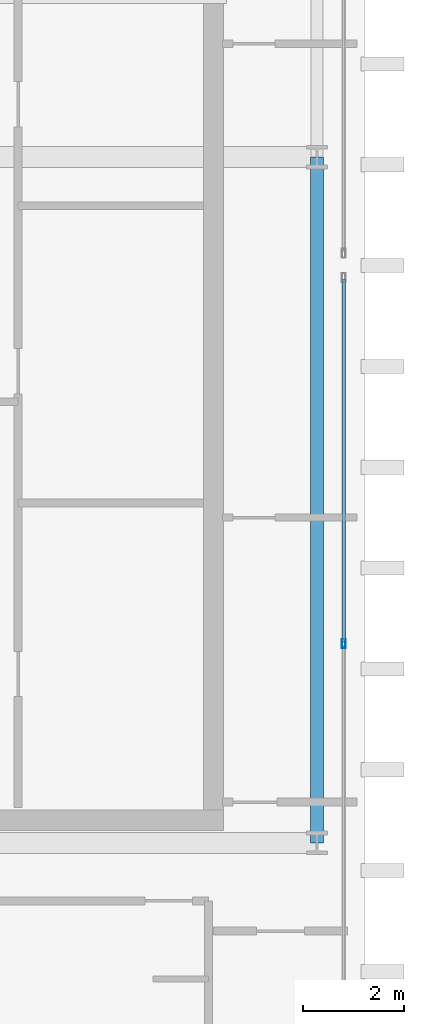
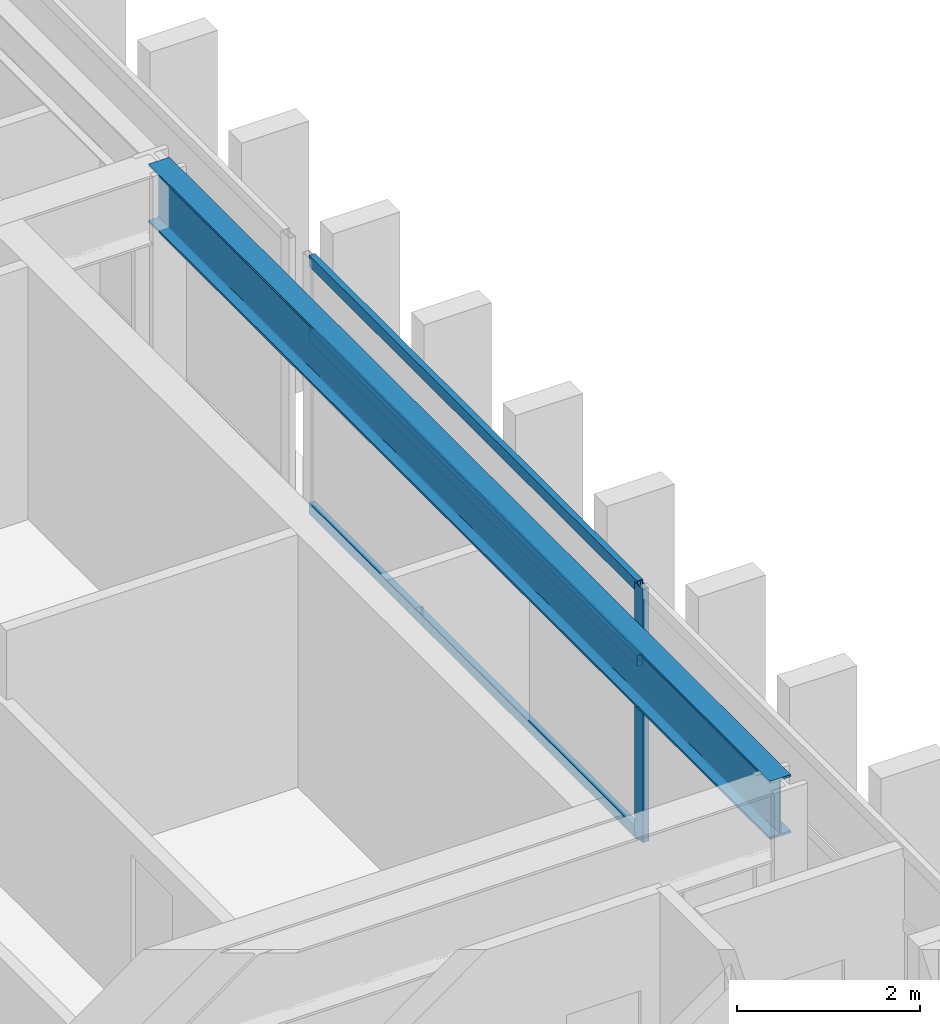
# One storey, part 10 of 25: 4 members, 1 beam, 1 element without a shape of its own.
"""IFC4 building model written with IfcOpenShell, lengths in metres."""

from ifc_helpers import new_model, si_unit, direction, frame, origin, origin_2d, place, context, subcontext, project, spatial, hollow_rectangle, i_section, extrude, source, transform, mapped, material, layer, layer_set, material_profile, profile_set, type_object, element, aggregate, save


model = new_model("IFC4")

# Units and contexts
model_context = context("Model", 3, precision=1e-05, world=origin(), true_north=direction((0.0, 1.0)))
body_context = subcontext(model_context, "Body", "Model", "MODEL_VIEW")
ifc_project = project(units=[si_unit("LENGTHUNIT", "METRE"), si_unit("AREAUNIT", "SQUARE_METRE"), si_unit("VOLUMEUNIT", "CUBIC_METRE"), si_unit("PLANEANGLEUNIT", "RADIAN"), si_unit("MASSUNIT", "GRAM", prefix="KILO")], contexts=[model_context])

# Site, building, storey
site_placement = place(None, origin())
site = spatial("IfcSite", under=ifc_project, at=site_placement, CompositionType="ELEMENT")
building_placement = place(site_placement, origin())
building = spatial("IfcBuilding", under=site, at=building_placement, Name="Ocotamira Hotel", CompositionType="ELEMENT")
storey_placement = place(building_placement, frame((0.0, 0.0, 261.60009765625)))
storey = spatial("IfcBuildingStorey", under=building, at=storey_placement, Name="L66", CompositionType="ELEMENT", Elevation=261.60009765625)

# Beam
ifc_material_1 = material(Name="Steel ASTM A992 Grade 50", Category="steel")
ifc_material_profile_1 = material_profile(ifc_material_1, i_section(OverallWidth=0.26611328125, OverallDepth=0.779052734375, WebThickness=0.0166015625, FlangeThickness=0.030029296875, FilletRadius=0.01806640625, at=origin_2d()), Name="W30X148")
ifc_profile_set_1 = profile_set([ifc_material_profile_1], Name="Steel ASTM A992 Grade 50")
beam_type = type_object("IfcBeamType", Name="BM-GIRD-W30X148", PredefinedType="BEAM", material=ifc_profile_set_1)
shared_shape_1 = source(origin(), body_context, "Body", "SweptSolid", [
    extrude(i_section(OverallWidth=0.26611328125, OverallDepth=0.779052734375, WebThickness=0.0166015625, FlangeThickness=0.030029296875, FilletRadius=0.01806640625, at=origin_2d()), origin(), (0.0, 0.0, 1.0), 13.599853515625),
])
beam_placement = place(storey_placement, frame((55.050048828125, 14.550048828125, 2.990478515625), z_axis=(0.0, 1.0, 0.0), x_axis=(-1.0, 0.0, 0.0)))
element("IfcBeam", 1, at=beam_placement, inside=storey, type_object=beam_type, Name="L66 Beam X55.05 Y14.55-28.15", PredefinedType="BEAM", context=body_context, shape_type="MappedRepresentation", body=[
    mapped(shared_shape_1, transform((0.0, 0.0, 0.0), scale=1.0)),
])

# Curtain wall, members
ifc_material_2 = material(Name="Anodised pale-metal aluminium and solar glass", Category="aluminium")
ifc_layer = layer(ifc_material_2, 0.2099609375)
ifc_layer_set = layer_set([ifc_layer], Name="Anodised pale-metal aluminium and solar glass")
curtain_wall_type = type_object("IfcCurtainWallType", Name="CW-SYS7-PEAK", PredefinedType="NOTDEFINED", material=ifc_layer_set)
curtain_wall_placement = place(storey_placement, origin())
curtain_wall = element("IfcCurtainWall", 2, at=curtain_wall_placement, inside=storey, type_object=curtain_wall_type, Name="L66 Curtain Wall CW-7 CW-L66-EO1", PredefinedType="NOTDEFINED")
ifc_material_3 = material(Name="Anodised pale-metal aluminium 6063-T6", Category="aluminium")
ifc_material_profile_2 = material_profile(ifc_material_3, hollow_rectangle(XDim=0.080078125, YDim=0.179931640625, WallThickness=0.006103515625, at=origin_2d()), Name="HSS180X80X6")
ifc_profile_set_2 = profile_set([ifc_material_profile_2], Name="Anodised pale-metal aluminium 6063-T6")
member_type_1 = type_object("IfcMemberType", Name="CWM-180X75", PredefinedType="MULLION", material=ifc_profile_set_2)
shared_shape_2 = source(origin(), body_context, "Body", "SweptSolid", [
    extrude(hollow_rectangle(XDim=0.080078125, YDim=0.179931640625, WallThickness=0.006103515625, at=origin_2d()), origin(), (0.0, 0.0, 1.0), 3.3798828125),
])
member_1_placement = place(storey_placement, frame((55.580078125, 18.5, 0.0), z_axis=(0.0, 0.0, 1.0), x_axis=(-1.0, 0.0, 0.0)))
member_1 = element("IfcMember", 3, at=member_1_placement, type_object=member_type_1, Name="CW-7 mullion 2", PredefinedType="MULLION", context=body_context, shape_type="MappedRepresentation", body=[
    mapped(shared_shape_2, transform((0.0, 0.0, 0.0), scale=1.0)),
])
ifc_material_profile_3 = material_profile(ifc_material_3, hollow_rectangle(XDim=0.074951171875, YDim=0.14990234375, WallThickness=0.006103515625, at=origin_2d()), Name="HSS150X75X6")
ifc_profile_set_3 = profile_set([ifc_material_profile_3], Name="Anodised pale-metal aluminium 6063-T6")
member_type_2 = type_object("IfcMemberType", Name="CWT-150X75", PredefinedType="USERDEFINED", material=ifc_profile_set_3)
shared_shape_3 = source(origin(), body_context, "Body", "SweptSolid", [
    extrude(hollow_rectangle(XDim=0.074951171875, YDim=0.14990234375, WallThickness=0.006103515625, at=origin_2d()), origin(), (0.0, 0.0, 1.0), 7.179931640625),
])
member_2_placement = place(storey_placement, frame((55.580078125, 18.5400390625, 0.037353515625), z_axis=(0.0, 1.0, 0.0), x_axis=(-1.0, 0.0, 0.0)))
member_2 = element("IfcMember", 4, at=member_2_placement, type_object=member_type_2, Name="CW-7 transom 2.1", ObjectType="TRANSOM", PredefinedType="USERDEFINED", context=body_context, shape_type="MappedRepresentation", body=[
    mapped(shared_shape_3, transform((0.0, 0.0, 0.0), scale=1.0)),
])
member_3_placement = place(storey_placement, frame((55.580078125, 18.5400390625, 2.349853515625), z_axis=(0.0, 1.0, 0.0), x_axis=(-1.0, 0.0, 0.0)))
member_3 = element("IfcMember", 5, at=member_3_placement, type_object=member_type_2, Name="CW-7 transom 2.2", ObjectType="TRANSOM", PredefinedType="USERDEFINED", context=body_context, shape_type="MappedRepresentation", body=[
    mapped(shared_shape_3, transform((0.0, 0.0, 0.0), scale=1.0)),
])
member_4_placement = place(storey_placement, frame((55.580078125, 18.5400390625, 3.34228515625), z_axis=(0.0, 1.0, 0.0), x_axis=(-1.0, 0.0, 0.0)))
member_4 = element("IfcMember", 6, at=member_4_placement, type_object=member_type_2, Name="CW-7 transom 2.3", ObjectType="TRANSOM", PredefinedType="USERDEFINED", context=body_context, shape_type="MappedRepresentation", body=[
    mapped(shared_shape_3, transform((0.0, 0.0, 0.0), scale=1.0)),
])
aggregate(curtain_wall, [member_1, member_2, member_3, member_4])

save(model, "model.ifc")
